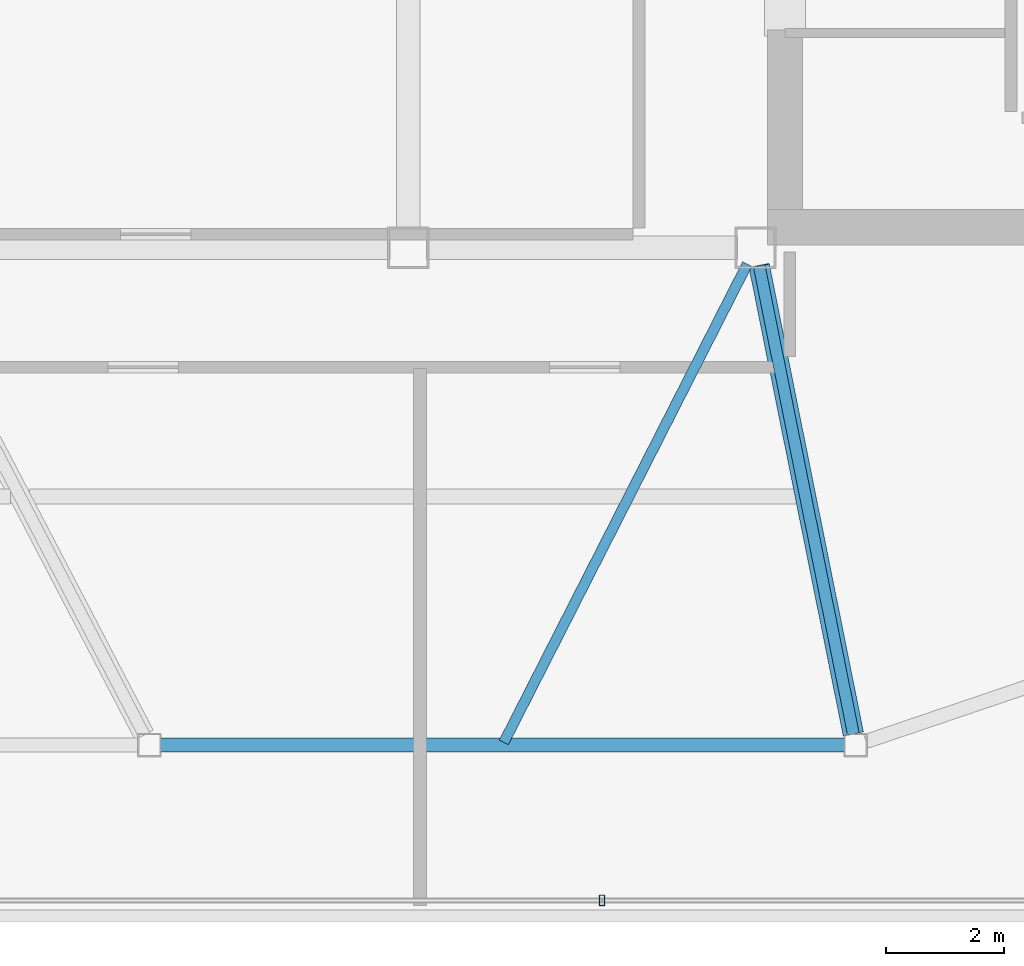
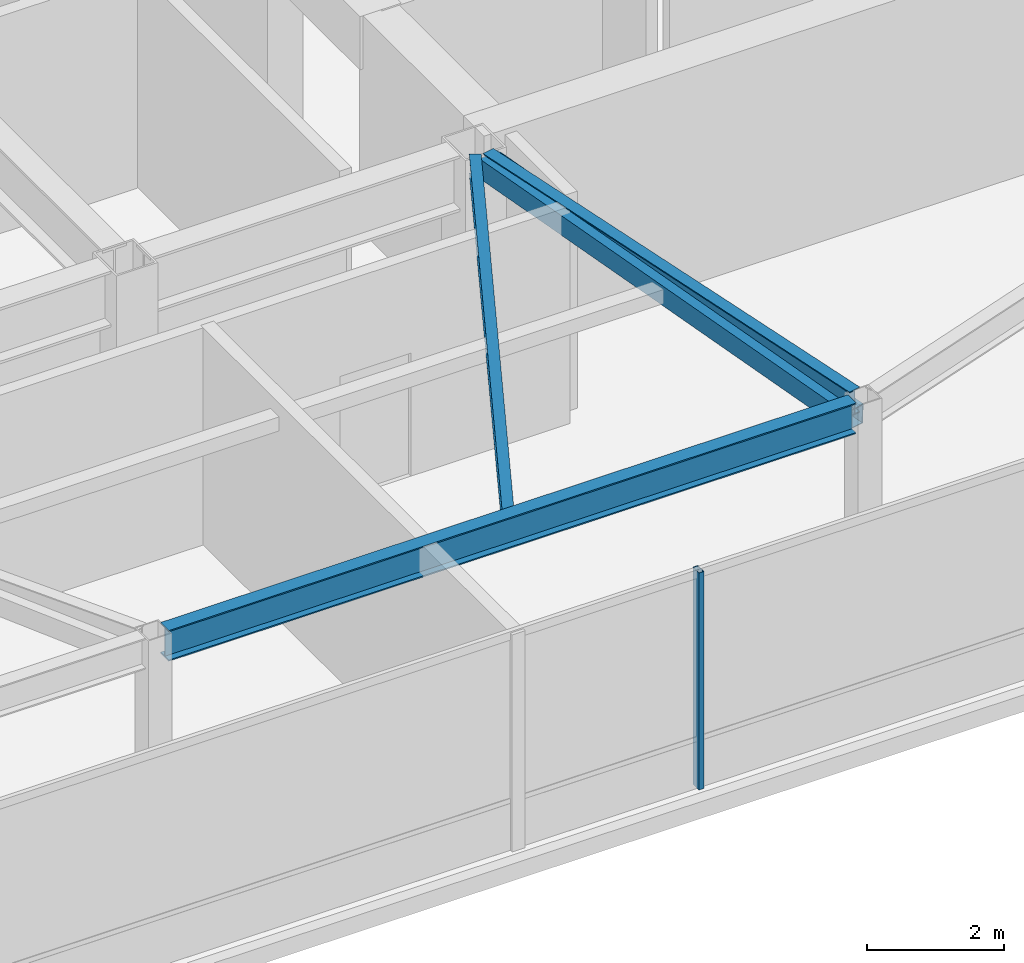
# One storey, part 9 of 22: 3 beams, 2 members, 1 element without a shape of its own.
"""IFC4 building model written with IfcOpenShell, lengths in metres."""

import ifcopenshell
import ifcopenshell.guid

model = None  # the IFC model being written
_history = None  # IfcOwnerHistory: only IFC2X3 demands one
_inside = {}  # id of a spatial element -> (the spatial element, [elements in it])
_under = {}  # id of a project, library or spatial element -> (it, [spatial elements below it])
_declared = {}  # id of a project -> (the project, [libraries it declares])
_typed = {}  # id of a type object -> (the type object, [elements of that type])
_made_of = {}  # id of a material, layer set ... -> (it, [elements and type objects made of it])


def new_model(schema):
    """Start an empty IFC model of exactly this schema.

    Asked for "IFC4X3", IfcOpenShell would pick the latest addendum, in which some entities
    have other attributes; the version numbers below select the first issue.
    IFC2X3 requires an IfcOwnerHistory on every rooted entity: one is made here for all.
    """
    global model, _history
    if schema == "IFC4X3":
        model = ifcopenshell.file(schema_version=(4, 3, 0, 0))
    else:
        model = ifcopenshell.file(schema=schema)
    _inside.clear()
    _under.clear()
    _declared.clear()
    _typed.clear()
    _made_of.clear()
    _history = None
    if model.schema == "IFC2X3":
        org = make("IfcOrganization", Name="unknown")
        user = make(
            "IfcPersonAndOrganization",
            ThePerson=make("IfcPerson", FamilyName="unknown"),
            TheOrganization=org,
        )
        app = make(
            "IfcApplication",
            ApplicationDeveloper=org,
            Version="unknown",
            ApplicationFullName="unknown",
            ApplicationIdentifier="unknown",
        )
        _history = make(
            "IfcOwnerHistory",
            OwningUser=user,
            OwningApplication=app,
            ChangeAction="ADDED",
            CreationDate=0,
        )
    return model


def make(cls, **values):
    """One entity of the class cls with the attributes given. An attribute that is None is left unset."""
    return model.create_entity(
        cls, **{name: value for name, value in values.items() if value is not None}
    )


def rooted(cls, **values):
    """An entity with a GlobalId (a new one), such as an element, a storey or a relation."""
    return make(cls, GlobalId=ifcopenshell.guid.new(), OwnerHistory=_history, **values)


def si_unit(unit_type, name, prefix=None):
    """IfcSIUnit, for example si_unit("LENGTHUNIT", "METRE", prefix="MILLI")."""
    return make("IfcSIUnit", UnitType=unit_type, Prefix=prefix, Name=name)


def assignment(units):
    """IfcUnitAssignment: the units of a project."""
    return None if units is None else make("IfcUnitAssignment", Units=units)


def point(xyz):
    """IfcCartesianPoint."""
    return None if xyz is None else make("IfcCartesianPoint", Coordinates=xyz)


def direction(xyz):
    """IfcDirection."""
    return None if xyz is None else make("IfcDirection", DirectionRatios=xyz)


def frame(location, z_axis=None, x_axis=None):
    """IfcAxis2Placement3D, a coordinate frame: its origin and axes. An axis left out is left unset."""
    return make(
        "IfcAxis2Placement3D",
        Location=point(location),
        Axis=direction(z_axis),
        RefDirection=direction(x_axis),
    )


def frame_2d(location, x_axis=None):
    """IfcAxis2Placement2D, a coordinate frame in the plane: its origin and x axis."""
    return make(
        "IfcAxis2Placement2D", Location=point(location), RefDirection=direction(x_axis)
    )


def origin():
    """The frame at (0, 0, 0) with its axes left unset."""
    return frame((0.0, 0.0, 0.0))


def origin_2d():
    """The frame at (0, 0) in the plane with its x axis left unset."""
    return frame_2d((0.0, 0.0))


def place(relative_to, where):
    """IfcLocalPlacement: puts the frame where relative to a parent placement (None: the world)."""
    return make(
        "IfcLocalPlacement", PlacementRelTo=relative_to, RelativePlacement=where
    )


def context(
    kind, dimensions, precision=None, world=None, true_north=None, identifier=None
):
    """IfcGeometricRepresentationContext, for example the 3D "Model" context."""
    return make(
        "IfcGeometricRepresentationContext",
        ContextIdentifier=identifier,
        ContextType=kind,
        CoordinateSpaceDimension=dimensions,
        Precision=precision,
        WorldCoordinateSystem=world,
        TrueNorth=true_north,
    )


def subcontext(parent, identifier, kind, view, scale=None):
    """IfcGeometricRepresentationSubContext, for example "Body" below "Model"."""
    return make(
        "IfcGeometricRepresentationSubContext",
        ContextIdentifier=identifier,
        ContextType=kind,
        ParentContext=parent,
        TargetScale=scale,
        TargetView=view,
    )


def project(units=None, contexts=None):
    """IfcProject with its units and contexts."""
    return rooted(
        "IfcProject",
        Name="project",
        RepresentationContexts=contexts,
        UnitsInContext=assignment(units),
    )


def spatial(cls, under=None, at=None, **own):
    """A site, building, storey or space (cls), placed at a placement, below another one or the project."""
    s = rooted(cls, ObjectPlacement=at, **own)
    if under is not None:
        _under.setdefault(under.id(), (under, []))[1].append(s)
    return s


def profile(cls, at=None, kind="AREA", **sizes):
    """A parametric profile (cls). Its sizes go by their IFC names, for example OverallWidth=200.0."""
    return make(cls, ProfileType=kind, Position=at, **sizes)


def hollow_rectangle(**sizes):
    """IfcRectangleHollowProfileDef."""
    return profile("IfcRectangleHollowProfileDef", **sizes)


def i_section(**sizes):
    """IfcIShapeProfileDef."""
    return profile("IfcIShapeProfileDef", **sizes)


def extrude(swept, where, along, depth):
    """IfcExtrudedAreaSolid: the profile swept, set in the frame where, extruded along a direction by depth."""
    return make(
        "IfcExtrudedAreaSolid",
        SweptArea=swept,
        Position=where,
        ExtrudedDirection=direction(along),
        Depth=depth,
    )


def shape(context_of_items, identifier, shape_type, items):
    """IfcShapeRepresentation: the items that make up one representation, for example the "Body"."""
    return make(
        "IfcShapeRepresentation",
        ContextOfItems=context_of_items,
        RepresentationIdentifier=identifier,
        RepresentationType=shape_type,
        Items=items,
    )


def material(Name=None, Category=None):
    """IfcMaterial."""
    return make("IfcMaterial", Name=Name, Category=Category)


def layer(
    of_material, thickness, ventilated=None, Name=None, Category=None, Priority=None
):
    """IfcMaterialLayer: one layer of a wall or slab, of a material (None: an air gap)."""
    return make(
        "IfcMaterialLayer",
        Material=of_material,
        LayerThickness=thickness,
        IsVentilated=ventilated,
        Name=Name,
        Category=Category,
        Priority=Priority,
    )


def layer_set(layers, Name=None):
    """IfcMaterialLayerSet."""
    return make("IfcMaterialLayerSet", MaterialLayers=layers, LayerSetName=Name)


def material_profile(
    of_material, cross_section, Name=None, Category=None, Priority=None
):
    """IfcMaterialProfile: a cross section and its material."""
    return make(
        "IfcMaterialProfile",
        Name=Name,
        Material=of_material,
        Profile=cross_section,
        Priority=Priority,
        Category=Category,
    )


def profile_set(profiles, Name=None, composite=None):
    """IfcMaterialProfileSet."""
    return make(
        "IfcMaterialProfileSet",
        Name=Name,
        MaterialProfiles=profiles,
        CompositeProfile=composite,
    )


def made_of(thing, what):
    """Note that an element or type object is made of a material, layer set ...; save() writes the relation."""
    if what is not None:
        _made_of.setdefault(what.id(), (what, []))[1].append(thing)
    return thing


def type_object(cls, material=None, **own):
    """A type object (cls), such as IfcWallType, which elements share."""
    return made_of(rooted(cls, **own), material)


def element(
    cls,
    number,
    at=None,
    inside=None,
    cuts=None,
    type_object=None,
    material=None,
    context=None,
    identifier="Body",
    shape_type=None,
    held_by="IfcProductDefinitionShape",
    body=None,
    shapes=None,
    **own,
):
    """One element of the class cls, such as IfcWall. Its Tag is "e" and its number.

    at: its placement. inside: the storey or other place that contains it. cuts: it is an
    opening in that element (IfcRelVoidsElement). A single representation is given by context,
    identifier, shape_type and body (its items); several are given by shapes. held_by: the class
    of the entity that holds the representations. save() writes the other relations.
    """
    e = rooted(cls, Tag="e%d" % number, ObjectPlacement=at, **own)
    if body is not None:
        shapes = [shape(context, identifier, shape_type, body)]
    if shapes is not None:
        e.Representation = make(held_by, Representations=shapes)
    if inside is not None:
        _inside.setdefault(inside.id(), (inside, []))[1].append(e)
    if cuts is not None:
        rooted(
            "IfcRelVoidsElement", RelatingBuildingElement=cuts, RelatedOpeningElement=e
        )
    if type_object is not None:
        _typed.setdefault(type_object.id(), (type_object, []))[1].append(e)
    return made_of(e, material)


def aggregate(whole, parts):
    """IfcRelAggregates: a whole, such as a stair, and the parts it consists of."""
    return rooted("IfcRelAggregates", RelatingObject=whole, RelatedObjects=parts)


def save(model, path):
    """Write the relations noted so far, then the file.

    IfcRelAggregates (storeys below a building ...), IfcRelContainedInSpatialStructure (elements
    in a storey), IfcRelDefinesByType, IfcRelAssociatesMaterial and IfcRelDeclares: one each for
    every whole, place, type object, material and project.
    """
    for whole, parts in _under.values():
        aggregate(whole, parts)
    for where, things in _inside.values():
        rooted(
            "IfcRelContainedInSpatialStructure",
            RelatedElements=things,
            RelatingStructure=where,
        )
    for kind, things in _typed.values():
        rooted("IfcRelDefinesByType", RelatedObjects=things, RelatingType=kind)
    for what, things in _made_of.values():
        rooted("IfcRelAssociatesMaterial", RelatedObjects=things, RelatingMaterial=what)
    for by, libraries in _declared.values():
        rooted("IfcRelDeclares", RelatingContext=by, RelatedDefinitions=libraries)
    model.write(path)


model = new_model("IFC4")

# Units and contexts
model_context = context("Model", 3, precision=1e-05, world=origin(), true_north=direction((0.0, 1.0)))
body_context = subcontext(model_context, "Body", "Model", "MODEL_VIEW")
ifc_project = project(units=[si_unit("LENGTHUNIT", "METRE"), si_unit("AREAUNIT", "SQUARE_METRE"), si_unit("VOLUMEUNIT", "CUBIC_METRE"), si_unit("PLANEANGLEUNIT", "RADIAN"), si_unit("MASSUNIT", "GRAM", prefix="KILO")], contexts=[model_context])

# Site, building, storey
site_placement = place(None, origin())
site = spatial("IfcSite", under=ifc_project, at=site_placement, CompositionType="ELEMENT")
building_placement = place(site_placement, origin())
building = spatial("IfcBuilding", under=site, at=building_placement, Name="Tavrogorsk Clinical Tower", CompositionType="ELEMENT")
storey_placement = place(building_placement, frame((0.0, 0.0, 352.800048828125)))
storey = spatial("IfcBuildingStorey", under=building, at=storey_placement, Name="L82", CompositionType="ELEMENT", Elevation=352.800048828125)

# Member
ifc_material_1 = material(Name="Structural steel S390", Category="steel")
ifc_material_profile_1 = material_profile(ifc_material_1, hollow_rectangle(XDim=0.35009765625, YDim=0.35009765625, WallThickness=0.01611328125, at=origin_2d()), Name="SHS-350x350x16")
ifc_profile_set_1 = profile_set([ifc_material_profile_1], Name="Structural steel S390")
member_type_1 = type_object("IfcMemberType", Name="CrownFacetRafter_SHS350", PredefinedType="RAFTER", material=ifc_profile_set_1)
member_1_placement = place(storey_placement, frame((10.361083984375, -6.65380859375, 3.649169921875), z_axis=(0.197131403057, -0.979759922029, -0.034780815313), x_axis=(0.980353070529, 0.197250746779, 0.0)))
element("IfcMember", 1, at=member_1_placement, inside=storey, type_object=member_type_1, Name="L82 Sloped Facet Rafter S-3", PredefinedType="RAFTER", context=body_context, shape_type="SweptSolid", body=[
    extrude(hollow_rectangle(XDim=0.35009765625, YDim=0.35009765625, WallThickness=0.01611328125, at=origin_2d()), origin(), (0.0, 0.0, 1.0), 8.114501953125),
])

# Curtain wall, member
ifc_material_2 = material(Name="Anodised aluminium and triple IGU glazing", Category="aluminium")
ifc_layer = layer(ifc_material_2, 0.179931640625)
ifc_layer_set = layer_set([ifc_layer], Name="Anodised aluminium and triple IGU glazing")
curtain_wall_type = type_object("IfcCurtainWallType", Name="CW5_SkyLobby", PredefinedType="NOTDEFINED", material=ifc_layer_set)
curtain_wall_placement = place(storey_placement, origin())
curtain_wall = element("IfcCurtainWall", 2, at=curtain_wall_placement, inside=storey, type_object=curtain_wall_type, Name="L82 Curtain Wall CW-L82-DRUM-8", PredefinedType="NOTDEFINED")
ifc_material_3 = material(Name="Anodised aluminium alloy AW-6060", Category="aluminium")
ifc_material_profile_2 = material_profile(ifc_material_3, hollow_rectangle(XDim=0.090087890625, YDim=0.179931640625, WallThickness=0.00634765625, at=origin_2d()), Name="RHS-180x90x6.3")
ifc_profile_set_2 = profile_set([ifc_material_profile_2], Name="Anodised aluminium alloy AW-6060")
member_type_2 = type_object("IfcMemberType", Name="CwMullion_180x90", PredefinedType="MULLION", material=ifc_profile_set_2)
member_2_placement = place(storey_placement, frame((7.691162109375, -17.43994140625, 0.0), z_axis=(0.0, 0.0, 1.0), x_axis=(-1.0, 0.0, 0.0)))
member_2 = element("IfcMember", 3, at=member_2_placement, type_object=member_type_2, Name="CW-L82-DRUM-8 Mullion 2", PredefinedType="MULLION", context=body_context, shape_type="SweptSolid", body=[
    extrude(hollow_rectangle(XDim=0.090087890625, YDim=0.179931640625, WallThickness=0.00634765625, at=origin_2d()), origin(), (0.0, 0.0, 1.0), 3.8798828125),
])
aggregate(curtain_wall, [member_2])

# Beams
ifc_material_4 = material(Name="Structural steel S355", Category="steel")
ifc_material_profile_3 = material_profile(ifc_material_4, i_section(OverallWidth=0.199951171875, OverallDepth=0.449951171875, WebThickness=0.011474609375, FlangeThickness=0.01806640625, at=origin_2d()), Name="B-450x200x11.5x18")
ifc_profile_set_3 = profile_set([ifc_material_profile_3], Name="Structural steel S355")
beam_type_1 = type_object("IfcBeamType", Name="FloorBeam_B450", PredefinedType="BEAM", material=ifc_profile_set_3)
beam_1_placement = place(storey_placement, frame((10.361083984375, -6.65380859375, 3.655029296875), z_axis=(0.197249355273, -0.980353350504, 0.0), x_axis=(0.980353350504, 0.197249355273, 0.0)))
element("IfcBeam", 4, at=beam_1_placement, inside=storey, type_object=beam_type_1, Name="L82 Crown Radial Beam 03", PredefinedType="BEAM", context=body_context, shape_type="SweptSolid", body=[
    extrude(i_section(OverallWidth=0.199951171875, OverallDepth=0.449951171875, WebThickness=0.011474609375, FlangeThickness=0.01806640625, at=origin_2d()), origin(), (0.0, 0.0, 1.0), 8.119384765625),
])
ifc_material_5 = material(Name="Structural steel S355", Category="steel")
ifc_material_profile_4 = material_profile(ifc_material_5, i_section(OverallWidth=0.175048828125, OverallDepth=0.35009765625, WebThickness=0.009521484375, FlangeThickness=0.013916015625, at=origin_2d()), Name="B-350x175x9.5x14")
ifc_profile_set_4 = profile_set([ifc_material_profile_4], Name="Structural steel S355")
beam_type_2 = type_object("IfcBeamType", Name="SecondaryJoist_B350", PredefinedType="JOIST", material=ifc_profile_set_4)
beam_2_placement = place(storey_placement, frame((10.159423828125, -6.626220703125, 3.704833984375), z_axis=(-0.4535299827, -0.891241019474, 0.0), x_axis=(0.891241019474, -0.4535299827, 0.0)))
element("IfcBeam", 5, at=beam_2_placement, inside=storey, type_object=beam_type_2, Name="L82 Crown Secondary Joist 02", PredefinedType="JOIST", context=body_context, shape_type="SweptSolid", body=[
    extrude(i_section(OverallWidth=0.175048828125, OverallDepth=0.35009765625, WebThickness=0.009521484375, FlangeThickness=0.013916015625, at=origin_2d()), origin(), (0.0, 0.0, 1.0), 9.12109375),
])
ifc_material_6 = material(Name="Structural steel S390", Category="steel")
ifc_material_profile_5 = material_profile(ifc_material_6, i_section(OverallWidth=0.239990234375, OverallDepth=0.550048828125, WebThickness=0.013916015625, FlangeThickness=0.02197265625, at=origin_2d()), Name="B-550x240x14x22")
ifc_profile_set_5 = profile_set([ifc_material_profile_5], Name="Structural steel S390")
beam_type_3 = type_object("IfcBeamType", Name="SpandrelBeam_B550", PredefinedType="SPANDREL", material=ifc_profile_set_5)
beam_3_placement = place(storey_placement, frame((0.18994140625, -14.800048828125, 3.60498046875), z_axis=(1.0, 0.0, 0.0), x_axis=(0.0, 1.0, 0.0)))
element("IfcBeam", 6, at=beam_3_placement, inside=storey, type_object=beam_type_3, Name="L82 Crown Spandrel Beam 02", PredefinedType="SPANDREL", context=body_context, shape_type="SweptSolid", body=[
    extrude(i_section(OverallWidth=0.239990234375, OverallDepth=0.550048828125, WebThickness=0.013916015625, FlangeThickness=0.02197265625, at=origin_2d()), origin(), (0.0, 0.0, 1.0), 11.6201171875),
])

save(model, "model.ifc")
